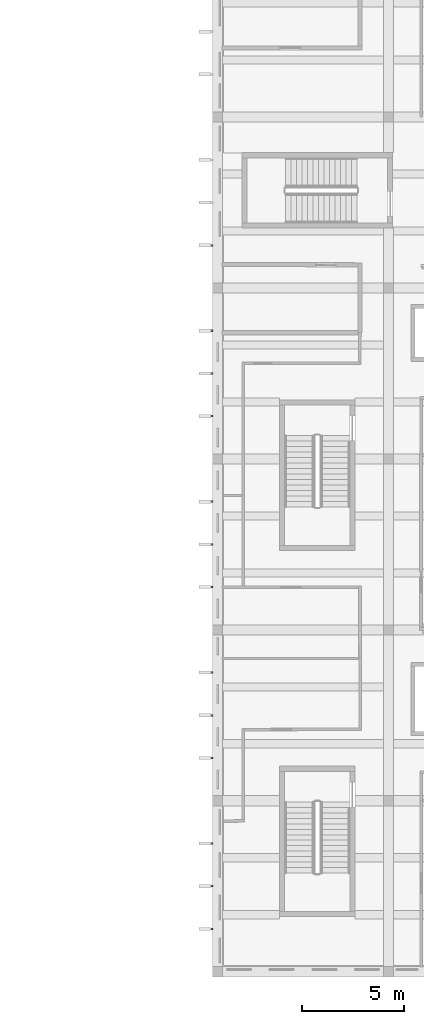
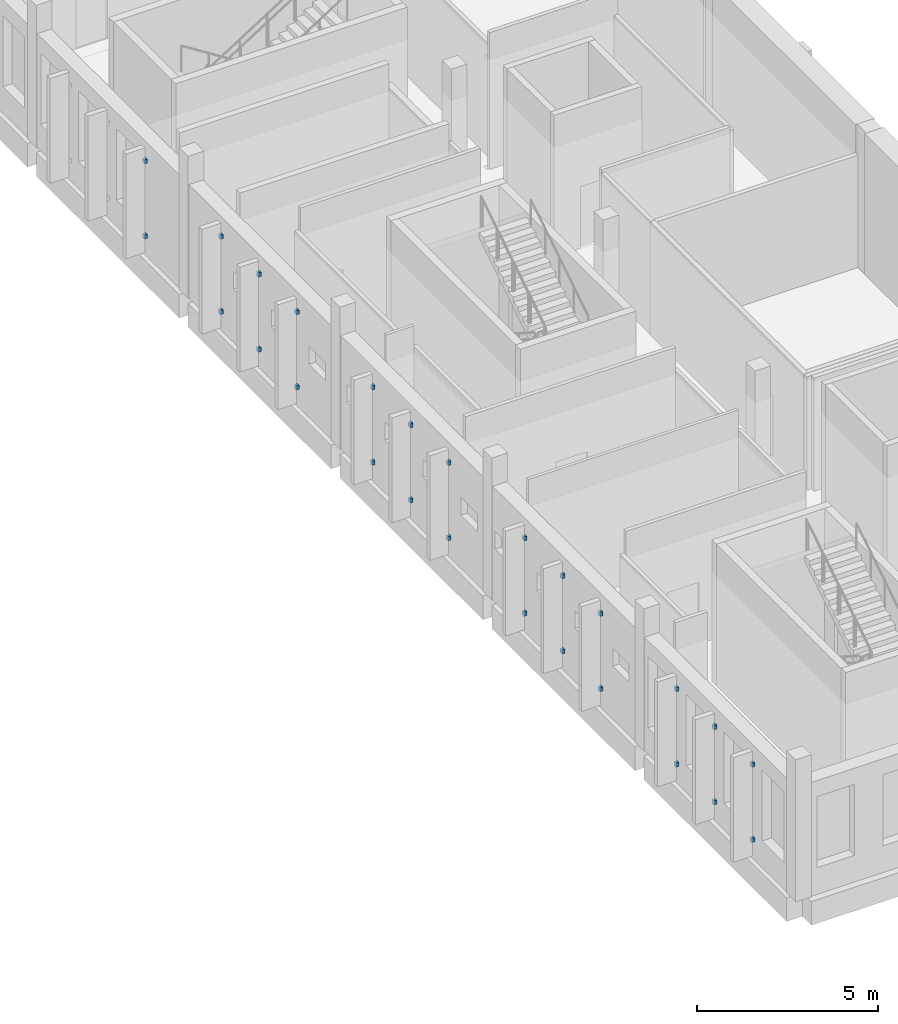
# One storey, part 17 of 37: 26 discrete accessories.
"""IFC4 building model written with IfcOpenShell, lengths in metres."""

from ifc_helpers import new_model, si_unit, direction, frame, origin, origin_2d, place, context, subcontext, project, spatial, rectangle, extrude, material, layer, layer_set, type_object, element, save


model = new_model("IFC4")

# Units and contexts
model_context = context("Model", 3, precision=1e-05, world=origin(), true_north=direction((0.0, 1.0)))
body_context = subcontext(model_context, "Body", "Model", "MODEL_VIEW")
ifc_project = project(units=[si_unit("LENGTHUNIT", "METRE"), si_unit("AREAUNIT", "SQUARE_METRE"), si_unit("VOLUMEUNIT", "CUBIC_METRE"), si_unit("PLANEANGLEUNIT", "RADIAN"), si_unit("MASSUNIT", "GRAM", prefix="KILO")], contexts=[model_context])

# Site, building, storey
site_placement = place(None, origin())
site = spatial("IfcSite", under=ifc_project, at=site_placement, CompositionType="ELEMENT")
building_placement = place(site_placement, origin())
building = spatial("IfcBuilding", under=site, at=building_placement, Name="Larchfold Concert Hall", CompositionType="ELEMENT")
storey_placement = place(building_placement, frame((0.0, 0.0, 19.199951171875)))
storey = spatial("IfcBuildingStorey", under=building, at=storey_placement, Name="L04", CompositionType="ELEMENT", Elevation=19.199951171875)

# Discrete accessories
ifc_material = material(Name="Steel S355 galvanised bracket", Category="steel")
ifc_layer = layer(ifc_material, 0.10009765625)
ifc_layer_set = layer_set([ifc_layer], Name="Steel S355 galvanised bracket")
discrete_accessory_type = type_object("IfcDiscreteAccessoryType", Name="Fin support bracket", PredefinedType="BRACKET", material=ifc_layer_set)
for number, where, z_axis, x_axis, name in (
    (1, (84.3251953125, 36.300048828125, 0.6298828125), (0.0, 0.0, 1.0), (-1.0, 0.0, 0.0), "Fin bracket FN-L04-004-1"),
    (2, (84.3251953125, 36.300048828125, 3.169921875), (0.0, 0.0, 1.0), (-1.0, 0.0, 0.0), "Fin bracket FN-L04-004-2"),
    (3, (84.3251953125, 27.89990234375, 0.6298828125), (0.0, 0.0, 1.0), (-1.0, 0.0, 0.0), "Fin bracket FN-L04-007-1"),
    (4, (84.3251953125, 27.89990234375, 3.169921875), (0.0, 0.0, 1.0), (-1.0, 0.0, 0.0), "Fin bracket FN-L04-007-2"),
    (5, (84.3251953125, 30.0, 0.6298828125), (0.0, 0.0, 1.0), (-1.0, 0.0, 0.0), "Fin bracket FN-L04-008-1"),
    (6, (84.3251953125, 30.0, 3.169921875), (0.0, 0.0, 1.0), (-1.0, 0.0, 0.0), "Fin bracket FN-L04-008-2"),
    (7, (84.3251953125, 32.10009765625, 0.6298828125), (0.0, 0.0, 1.0), (-1.0, 0.0, 0.0), "Fin bracket FN-L04-009-1"),
    (8, (84.3251953125, 32.10009765625, 3.169921875), (0.0, 0.0, 1.0), (-1.0, 0.0, 0.0), "Fin bracket FN-L04-009-2"),
    (9, (84.3251953125, 19.5, 0.6298828125), (0.0, 0.0, 1.0), (-1.0, 0.0, 0.0), "Fin bracket FN-L04-010-1"),
    (10, (84.3251953125, 19.5, 3.169921875), (0.0, 0.0, 1.0), (-1.0, 0.0, 0.0), "Fin bracket FN-L04-010-2"),
    (11, (84.3251953125, 21.60009765625, 0.6298828125), (0.0, 0.0, 1.0), (-1.0, 0.0, 0.0), "Fin bracket FN-L04-011-1"),
    (12, (84.3251953125, 21.60009765625, 3.169921875), (0.0, 0.0, 1.0), (-1.0, 0.0, 0.0), "Fin bracket FN-L04-011-2"),
    (13, (84.3251953125, 23.699951171875, 0.6298828125), (0.0, 0.0, 1.0), (-1.0, 0.0, 0.0), "Fin bracket FN-L04-012-1"),
    (14, (84.3251953125, 23.699951171875, 3.169921875), (0.0, 0.0, 1.0), (-1.0, 0.0, 0.0), "Fin bracket FN-L04-012-2"),
    (15, (84.3251953125, 11.10009765625, 0.6298828125), (0.0, 0.0, 1.0), (-1.0, 0.0, 0.0), "Fin bracket FN-L04-013-1"),
    (16, (84.3251953125, 11.10009765625, 3.169921875), (0.0, 0.0, 1.0), (-1.0, 0.0, 0.0), "Fin bracket FN-L04-013-2"),
    (17, (84.3251953125, 13.199951171875, 0.6298828125), (0.0, 0.0, 1.0), (-1.0, 0.0, 0.0), "Fin bracket FN-L04-014-1"),
    (18, (84.3251953125, 13.199951171875, 3.169921875), (0.0, 0.0, 1.0), (-1.0, 0.0, 0.0), "Fin bracket FN-L04-014-2"),
    (19, (84.3251953125, 15.300048828125, 0.6298828125), (0.0, 0.0, 1.0), (-1.0, 0.0, 0.0), "Fin bracket FN-L04-015-1"),
    (20, (84.3251953125, 15.300048828125, 3.169921875), (0.0, 0.0, 1.0), (-1.0, 0.0, 0.0), "Fin bracket FN-L04-015-2"),
    (21, (84.3251953125, 2.699951171875, 0.6298828125), (0.0, 0.0, 1.0), (-1.0, 0.0, 0.0), "Fin bracket FN-L04-016-1"),
    (22, (84.3251953125, 2.699951171875, 3.169921875), (0.0, 0.0, 1.0), (-1.0, 0.0, 0.0), "Fin bracket FN-L04-016-2"),
    (23, (84.3251953125, 4.800048828125, 0.6298828125), (0.0, 0.0, 1.0), (-1.0, 0.0, 0.0), "Fin bracket FN-L04-017-1"),
    (24, (84.3251953125, 4.800048828125, 3.169921875), (0.0, 0.0, 1.0), (-1.0, 0.0, 0.0), "Fin bracket FN-L04-017-2"),
    (25, (84.3251953125, 6.89990234375, 0.6298828125), (0.0, 0.0, 1.0), (-1.0, 0.0, 0.0), "Fin bracket FN-L04-018-1"),
    (26, (84.3251953125, 6.89990234375, 3.169921875), (0.0, 0.0, 1.0), (-1.0, 0.0, 0.0), "Fin bracket FN-L04-018-2"),
):
    element("IfcDiscreteAccessory", number, at=place(storey_placement, frame(where, z_axis=z_axis, x_axis=x_axis)), inside=storey, type_object=discrete_accessory_type, Name=name, PredefinedType="BRACKET", context=body_context, shape_type="SweptSolid", body=[
        extrude(rectangle(XDim=0.10009765625, YDim=0.10009765625, at=origin_2d()), origin(), (0.0, 0.0, 1.0), 0.139892578125),
    ])

save(model, "model.ifc")
